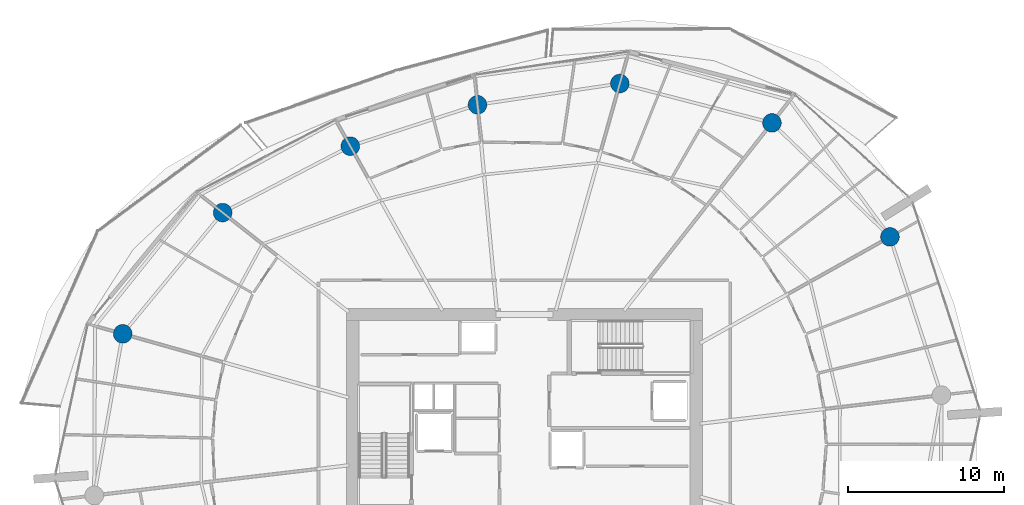
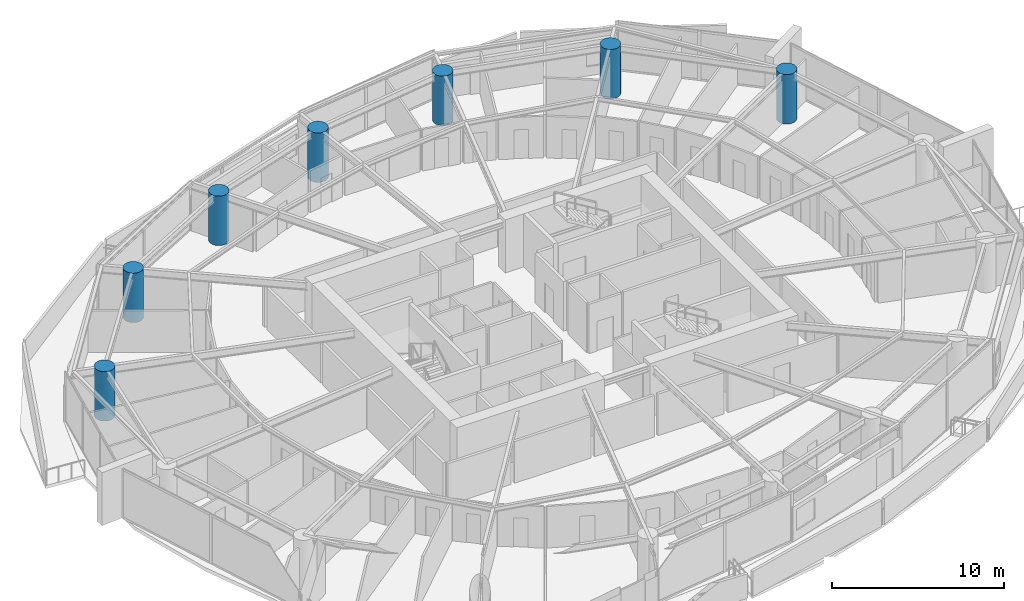
# One storey, part 4 of 23: 7 columns.
"""IFC4 building model written with IfcOpenShell, lengths in metres."""

from ifc_helpers import new_model, si_unit, direction, frame, origin, origin_2d, place, context, subcontext, project, spatial, circle, extrude, material, material_profile, profile_set, type_object, element, save


model = new_model("IFC4")

# Units and contexts
model_context = context("Model", 3, precision=1e-05, world=origin(), true_north=direction((0.0, 1.0)))
body_context = subcontext(model_context, "Body", "Model", "MODEL_VIEW")
ifc_project = project(units=[si_unit("LENGTHUNIT", "METRE"), si_unit("AREAUNIT", "SQUARE_METRE"), si_unit("VOLUMEUNIT", "CUBIC_METRE"), si_unit("PLANEANGLEUNIT", "RADIAN"), si_unit("MASSUNIT", "GRAM", prefix="KILO")], contexts=[model_context])

# Site, building, storey
site_placement = place(None, origin())
site = spatial("IfcSite", under=ifc_project, at=site_placement, CompositionType="ELEMENT")
building_placement = place(site_placement, origin())
building = spatial("IfcBuilding", under=site, at=building_placement, Name="Kazma Halo Residences", CompositionType="ELEMENT")
storey_placement = place(building_placement, frame((0.0, 0.0, 105.14990234375)))
storey = spatial("IfcBuildingStorey", under=building, at=storey_placement, Name="L26", CompositionType="ELEMENT", Elevation=105.14990234375)

# Columns
ifc_material = material(Name="Concrete C80/95", Category="concrete")
ifc_material_profile = material_profile(ifc_material, circle(Radius=0.60009765625, at=origin_2d()), Name="CIRC1200")
ifc_profile_set = profile_set([ifc_material_profile], Name="Concrete C80/95")
column_type = type_object("IfcColumnType", Name="COL-PERIM-1200", PredefinedType="COLUMN", material=ifc_profile_set)
for number, where, z_axis, x_axis, name in (
    (1, (71.9033203125, 55.386474609375, 0.0), (0.0, 0.0, 1.0), (1.0, 0.0, 0.0), "L26 perimeter ring column P01"),
    (2, (64.323486328125, 62.706298828125, 0.0), (0.0, 0.0, 1.0), (1.0, 0.0, 0.0), "L26 perimeter ring column P02"),
    (3, (54.552734375, 65.234130859375, 0.0), (0.0, 0.0, 1.0), (1.0, 0.0, 0.0), "L26 perimeter ring column P03"),
    (4, (45.41162109375, 63.869140625, 0.0), (0.0, 0.0, 1.0), (1.0, 0.0, 0.0), "L26 perimeter ring column P04"),
    (5, (37.23974609375, 61.2138671875, 0.0), (0.0, 0.0, 1.0), (1.0, 0.0, 0.0), "L26 perimeter ring column P05"),
    (6, (29.0419921875, 56.9453125, 0.0), (0.0, 0.0, 1.0), (1.0, 0.0, 0.0), "L26 perimeter ring column P06"),
    (7, (22.623291015625, 49.156982421875, 0.0), (0.0, 0.0, 1.0), (1.0, 0.0, 0.0), "L26 perimeter ring column P07"),
):
    element("IfcColumn", number, at=place(storey_placement, frame(where, z_axis=z_axis, x_axis=x_axis)), inside=storey, type_object=column_type, Name=name, PredefinedType="COLUMN", context=body_context, shape_type="SweptSolid", body=[
        extrude(circle(Radius=0.60009765625, at=origin_2d()), origin(), (0.0, 0.0, 1.0), 3.5),
    ])

save(model, "model.ifc")
